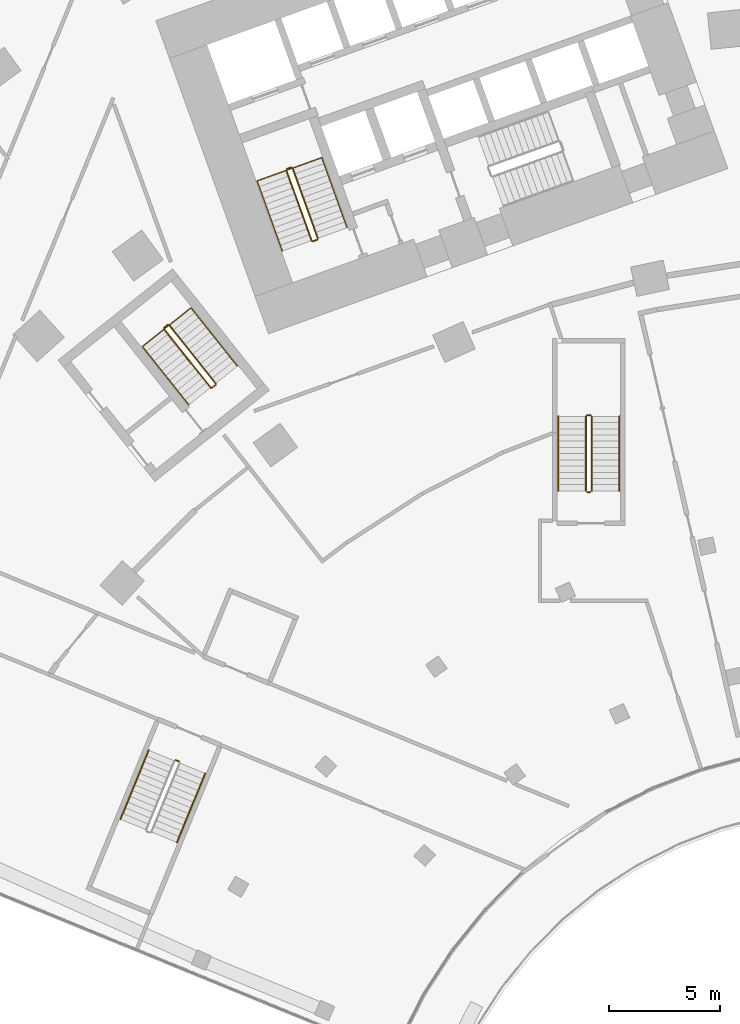
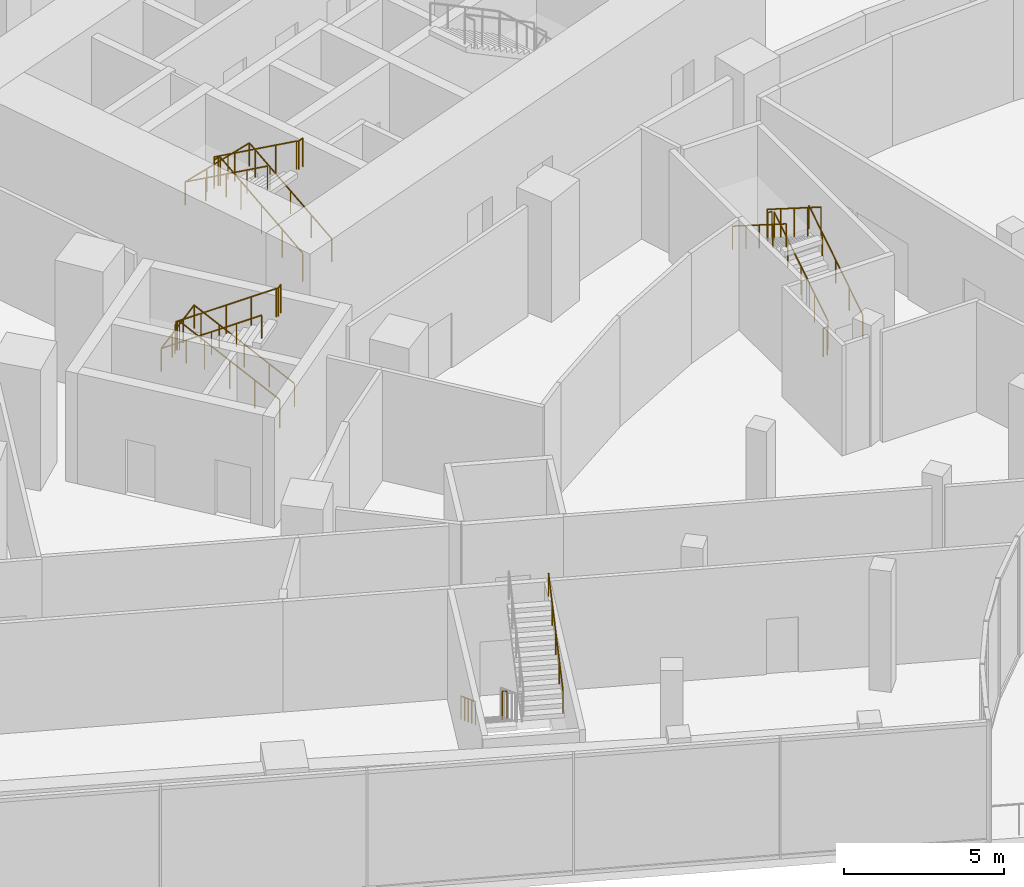
# One storey, part 34 of 40: 15 railings.
"""IFC4 building model written with IfcOpenShell, lengths in metres."""

from ifc_helpers import new_model, si_unit, direction, frame, origin, origin_2d, place, context, subcontext, project, spatial, circle, extrude, material, type_object, element, save


model = new_model("IFC4")

# Units and contexts
model_context = context("Model", 3, precision=1e-05, world=origin(), true_north=direction((0.0, 1.0)))
body_context = subcontext(model_context, "Body", "Model", "MODEL_VIEW")
ifc_project = project(units=[si_unit("LENGTHUNIT", "METRE"), si_unit("AREAUNIT", "SQUARE_METRE"), si_unit("VOLUMEUNIT", "CUBIC_METRE"), si_unit("PLANEANGLEUNIT", "RADIAN"), si_unit("MASSUNIT", "GRAM", prefix="KILO")], contexts=[model_context])

# Site, building, storey
site_placement = place(None, origin())
site = spatial("IfcSite", under=ifc_project, at=site_placement, CompositionType="ELEMENT")
building_placement = place(site_placement, origin())
building = spatial("IfcBuilding", under=site, at=building_placement, Name="Stone Belt Terrace Tower", CompositionType="ELEMENT")
storey_placement = place(building_placement, frame((0.0, 0.0, 11.60009765625)))
storey = spatial("IfcBuildingStorey", under=building, at=storey_placement, Name="L02", CompositionType="ELEMENT", Elevation=11.60009765625)

# Railings
ifc_material_1 = material(Name="Steel balustrade", Category="steel")
railing_type_1 = type_object("IfcRailingType", Name="Podium stair guard", PredefinedType="GUARDRAIL", material=ifc_material_1)
railing_1_placement = place(storey_placement, frame((-30.611572265625, 21.75439453125, 0.0)))
element("IfcRailing", 1, at=railing_1_placement, inside=storey, type_object=railing_type_1, Name="L02 PS1 stair guard 4", PredefinedType="GUARDRAIL", context=body_context, shape_type="SweptSolid", body=[
    extrude(circle(Radius=0.02392578125, at=origin_2d()), frame((0.0, 0.0, 1.076171875), z_axis=(0.925183283695, -0.379520607572, 0.0), x_axis=(0.379520607572, 0.925183283695, 0.0)), (0.0, 0.0, 1.0), 0.14990234375),
    extrude(circle(Radius=0.02099609375, at=origin_2d()), origin(), (0.0, 0.0, 1.0), 1.052001953125),
    extrude(circle(Radius=0.02099609375, at=origin_2d()), frame((0.138671875, -0.056884765625, 0.0)), (0.0, 0.0, 1.0), 1.052001953125),
])
railing_2_placement = place(storey_placement, frame((-11.875, 33.889892578125, 0.1767578125)))
element("IfcRailing", 2, at=railing_2_placement, inside=storey, type_object=railing_type_1, Name="L02 PS5 stair guard 1", PredefinedType="GUARDRAIL", context=body_context, shape_type="SweptSolid", body=[
    extrude(circle(Radius=0.02392578125, at=origin_2d()), frame((0.0, 0.0, 1.076171875), z_axis=(0.0, 0.845389635667, 0.534150132366), x_axis=(-1.0, 0.0, 0.0)), (0.0, 0.0, 1.0), 3.974609375),
    extrude(circle(Radius=0.02099609375, at=origin_2d()), origin(), (0.0, 0.0, 1.0), 1.052001953125),
    extrude(circle(Radius=0.02099609375, at=origin_2d()), frame((0.0, 0.840087890625, 0.53076171875)), (0.0, 0.0, 1.0), 1.052001953125),
    extrude(circle(Radius=0.02099609375, at=origin_2d()), frame((0.0, 1.68017578125, 1.0615234375)), (0.0, 0.0, 1.0), 1.052001953125),
    extrude(circle(Radius=0.02099609375, at=origin_2d()), frame((0.0, 2.52001953125, 1.59228515625)), (0.0, 0.0, 1.0), 1.052001953125),
    extrude(circle(Radius=0.02099609375, at=origin_2d()), frame((0.0, 3.360107421875, 2.123046875)), (0.0, 0.0, 1.0), 1.052001953125),
])
railing_3_placement = place(storey_placement, frame((-11.925048828125, 37.300048828125, 2.2998046875)))
element("IfcRailing", 3, at=railing_3_placement, inside=storey, type_object=railing_type_1, Name="L02 PS5 stair guard 2", PredefinedType="GUARDRAIL", context=body_context, shape_type="SweptSolid", body=[
    extrude(circle(Radius=0.02392578125, at=origin_2d()), frame((0.0, 0.0, 1.076171875), z_axis=(-1.0, 0.0, 0.0), x_axis=(0.0, -1.0, 0.0)), (0.0, 0.0, 1.0), 0.14990234375),
    extrude(circle(Radius=0.02099609375, at=origin_2d()), origin(), (0.0, 0.0, 1.0), 1.052001953125),
    extrude(circle(Radius=0.02099609375, at=origin_2d()), frame((-0.14990234375, 0.0, 0.0)), (0.0, 0.0, 1.0), 1.052001953125),
])
railing_4_placement = place(storey_placement, frame((-12.125, 37.25, 2.476806640625)))
element("IfcRailing", 4, at=railing_4_placement, inside=storey, type_object=railing_type_1, Name="L02 PS5 stair guard 3", PredefinedType="GUARDRAIL", context=body_context, shape_type="SweptSolid", body=[
    extrude(circle(Radius=0.02392578125, at=origin_2d()), frame((0.0, 0.0, 1.076171875), z_axis=(0.0, -0.845389635667, 0.534150132366), x_axis=(1.0, 0.0, 0.0)), (0.0, 0.0, 1.0), 3.974609375),
    extrude(circle(Radius=0.02099609375, at=origin_2d()), origin(), (0.0, 0.0, 1.0), 1.052001953125),
    extrude(circle(Radius=0.02099609375, at=origin_2d()), frame((0.0, -0.840087890625, 0.53076171875)), (0.0, 0.0, 1.0), 1.052001953125),
    extrude(circle(Radius=0.02099609375, at=origin_2d()), frame((0.0, -1.68017578125, 1.0615234375)), (0.0, 0.0, 1.0), 1.052001953125),
    extrude(circle(Radius=0.02099609375, at=origin_2d()), frame((0.0, -2.52001953125, 1.59228515625)), (0.0, 0.0, 1.0), 1.052001953125),
    extrude(circle(Radius=0.02099609375, at=origin_2d()), frame((0.0, -3.360107421875, 2.123046875)), (0.0, 0.0, 1.0), 1.052001953125),
])
railing_5_placement = place(storey_placement, frame((-11.925048828125, 33.840087890625, 0.0)))
element("IfcRailing", 5, at=railing_5_placement, inside=storey, type_object=railing_type_1, Name="L02 PS5 stair guard 4", PredefinedType="GUARDRAIL", context=body_context, shape_type="SweptSolid", body=[
    extrude(circle(Radius=0.02392578125, at=origin_2d()), frame((0.0, 0.0, 1.076171875), z_axis=(-1.0, 0.0, 0.0), x_axis=(0.0, -1.0, 0.0)), (0.0, 0.0, 1.0), 0.14990234375),
    extrude(circle(Radius=0.02099609375, at=origin_2d()), origin(), (0.0, 0.0, 1.0), 1.052001953125),
    extrude(circle(Radius=0.02099609375, at=origin_2d()), frame((-0.14990234375, 0.0, 0.0)), (0.0, 0.0, 1.0), 1.052001953125),
])
ifc_material_2 = material(Name="Stainless steel handrail", Category="steel")
railing_type_2 = type_object("IfcRailingType", Name="Podium stair handrail", PredefinedType="HANDRAIL", material=ifc_material_2)
railing_6_placement = place(storey_placement, frame((-31.83349609375, 22.201171875, 0.1767578125)))
element("IfcRailing", 6, at=railing_6_placement, inside=storey, type_object=railing_type_2, Name="L02 PS1 stair handrail 1", PredefinedType="HANDRAIL", context=body_context, shape_type="SweptSolid", body=[
    extrude(circle(Radius=0.02392578125, at=origin_2d()), frame((0.0, 0.0, 0.8759765625), z_axis=(-0.320577273413, -0.782247859152, 0.534152130599), x_axis=(0.92531182595, -0.379207100089, 0.0)), (0.0, 0.0, 1.0), 3.974609375),
    extrude(circle(Radius=0.02099609375, at=origin_2d()), origin(), (0.0, 0.0, 1.0), 0.851806640625),
    extrude(circle(Radius=0.02099609375, at=origin_2d()), frame((-0.318603515625, -0.77734375, 0.53076171875)), (0.0, 0.0, 1.0), 0.851806640625),
    extrude(circle(Radius=0.02099609375, at=origin_2d()), frame((-0.63720703125, -1.5546875, 1.0615234375)), (0.0, 0.0, 1.0), 0.851806640625),
    extrude(circle(Radius=0.02099609375, at=origin_2d()), frame((-0.95556640625, -2.331787109375, 1.59228515625)), (0.0, 0.0, 1.0), 0.851806640625),
    extrude(circle(Radius=0.02099609375, at=origin_2d()), frame((-1.274169921875, -3.109130859375, 2.123046875)), (0.0, 0.0, 1.0), 0.851806640625),
])
railing_7_placement = place(storey_placement, frame((-30.563232421875, 18.049072265625, 2.476806640625)))
element("IfcRailing", 7, at=railing_7_placement, inside=storey, type_object=railing_type_2, Name="L02 PS1 stair handrail 2", PredefinedType="HANDRAIL", context=body_context, shape_type="SweptSolid", body=[
    extrude(circle(Radius=0.02392578125, at=origin_2d()), frame((0.0, 0.0, 0.8759765625), z_axis=(0.320632384185, 0.78223245452, 0.534141611661), x_axis=(-0.925286329636, 0.379269308261, 0.0)), (0.0, 0.0, 1.0), 3.974609375),
    extrude(circle(Radius=0.02099609375, at=origin_2d()), origin(), (0.0, 0.0, 1.0), 0.851806640625),
    extrude(circle(Radius=0.02099609375, at=origin_2d()), frame((0.318603515625, 0.77734375, 0.53076171875)), (0.0, 0.0, 1.0), 0.851806640625),
    extrude(circle(Radius=0.02099609375, at=origin_2d()), frame((0.63720703125, 1.5546875, 1.0615234375)), (0.0, 0.0, 1.0), 0.851806640625),
    extrude(circle(Radius=0.02099609375, at=origin_2d()), frame((0.955810546875, 2.331787109375, 1.59228515625)), (0.0, 0.0, 1.0), 0.851806640625),
    extrude(circle(Radius=0.02099609375, at=origin_2d()), frame((1.2744140625, 3.109130859375, 2.123046875)), (0.0, 0.0, 1.0), 0.851806640625),
])
railing_8_placement = place(storey_placement, frame((-10.625, 33.889892578125, 0.1767578125)))
element("IfcRailing", 8, at=railing_8_placement, inside=storey, type_object=railing_type_2, Name="L02 PS5 stair handrail 1", PredefinedType="HANDRAIL", context=body_context, shape_type="SweptSolid", body=[
    extrude(circle(Radius=0.02392578125, at=origin_2d()), frame((0.0, 0.0, 0.8759765625), z_axis=(0.0, 0.845389635667, 0.534150132366), x_axis=(-1.0, 0.0, 0.0)), (0.0, 0.0, 1.0), 3.974609375),
    extrude(circle(Radius=0.02099609375, at=origin_2d()), origin(), (0.0, 0.0, 1.0), 0.851806640625),
    extrude(circle(Radius=0.02099609375, at=origin_2d()), frame((0.0, 0.840087890625, 0.53076171875)), (0.0, 0.0, 1.0), 0.851806640625),
    extrude(circle(Radius=0.02099609375, at=origin_2d()), frame((0.0, 1.68017578125, 1.0615234375)), (0.0, 0.0, 1.0), 0.851806640625),
    extrude(circle(Radius=0.02099609375, at=origin_2d()), frame((0.0, 2.52001953125, 1.59228515625)), (0.0, 0.0, 1.0), 0.851806640625),
    extrude(circle(Radius=0.02099609375, at=origin_2d()), frame((0.0, 3.360107421875, 2.123046875)), (0.0, 0.0, 1.0), 0.851806640625),
])
railing_9_placement = place(storey_placement, frame((-13.375, 37.25, 2.476806640625)))
element("IfcRailing", 9, at=railing_9_placement, inside=storey, type_object=railing_type_2, Name="L02 PS5 stair handrail 2", PredefinedType="HANDRAIL", context=body_context, shape_type="SweptSolid", body=[
    extrude(circle(Radius=0.02392578125, at=origin_2d()), frame((0.0, 0.0, 0.8759765625), z_axis=(0.0, -0.845389635667, 0.534150132366), x_axis=(1.0, 0.0, 0.0)), (0.0, 0.0, 1.0), 3.974609375),
    extrude(circle(Radius=0.02099609375, at=origin_2d()), origin(), (0.0, 0.0, 1.0), 0.851806640625),
    extrude(circle(Radius=0.02099609375, at=origin_2d()), frame((0.0, -0.840087890625, 0.53076171875)), (0.0, 0.0, 1.0), 0.851806640625),
    extrude(circle(Radius=0.02099609375, at=origin_2d()), frame((0.0, -1.68017578125, 1.0615234375)), (0.0, 0.0, 1.0), 0.851806640625),
    extrude(circle(Radius=0.02099609375, at=origin_2d()), frame((0.0, -2.52001953125, 1.59228515625)), (0.0, 0.0, 1.0), 0.851806640625),
    extrude(circle(Radius=0.02099609375, at=origin_2d()), frame((0.0, -3.360107421875, 2.123046875)), (0.0, 0.0, 1.0), 0.851806640625),
])
ifc_material_3 = material(Name="Structural steel C345", Category="steel")
railing_type_3 = type_object("IfcRailingType", Name="Stair guard 1100", PredefinedType="GUARDRAIL", material=ifc_material_3)
railing_10_placement = place(storey_placement, frame((-24.2119140625, 45.276123046875, 0.1767578125)))
element("IfcRailing", 10, at=railing_10_placement, inside=storey, type_object=railing_type_3, Name="L02 ST1A stair guard 1", PredefinedType="GUARDRAIL", context=body_context, shape_type="SweptSolid", body=[
    extrude(circle(Radius=0.02392578125, at=origin_2d()), frame((0.0, 0.0, 1.076171875), z_axis=(-0.286311103083, 0.795417823175, 0.534168923494), x_axis=(-0.940902231577, -0.338678299589, 0.0)), (0.0, 0.0, 1.0), 3.974365234375),
    extrude(circle(Radius=0.02392578125, at=origin_2d()), frame((-1.137939453125, 3.161376953125, 3.19921875), z_axis=(-0.903878284585, 0.427789722475, 0.0), x_axis=(-0.427789722475, -0.903878284585, 0.0)), (0.0, 0.0, 1.0), 0.07080078125),
    extrude(circle(Radius=0.02392578125, at=origin_2d()), frame((-1.201904296875, 3.191650390625, 3.19921875), z_axis=(-0.940575576748, -0.339584429008, 0.0), x_axis=(0.339584429008, -0.940575576748, 0.0)), (0.0, 0.0, 1.0), 0.199951171875),
    extrude(circle(Radius=0.02099609375, at=origin_2d()), origin(), (0.0, 0.0, 1.0), 1.052001953125),
    extrude(circle(Radius=0.02099609375, at=origin_2d()), frame((-0.284423828125, 0.790283203125, 0.53076171875)), (0.0, 0.0, 1.0), 1.052001953125),
    extrude(circle(Radius=0.02099609375, at=origin_2d()), frame((-0.56884765625, 1.58056640625, 1.0615234375)), (0.0, 0.0, 1.0), 1.052001953125),
    extrude(circle(Radius=0.02099609375, at=origin_2d()), frame((-0.853515625, 2.37109375, 1.59228515625)), (0.0, 0.0, 1.0), 1.052001953125),
    extrude(circle(Radius=0.02099609375, at=origin_2d()), frame((-1.137939453125, 3.161376953125, 2.123046875)), (0.0, 0.0, 1.0), 1.052001953125),
    extrude(circle(Radius=0.02099609375, at=origin_2d()), frame((-1.201904296875, 3.191650390625, 2.123046875)), (0.0, 0.0, 1.0), 1.052001953125),
    extrude(circle(Radius=0.02099609375, at=origin_2d()), frame((-1.389892578125, 3.123779296875, 2.123046875)), (0.0, 0.0, 1.0), 1.052001953125),
])
railing_11_placement = place(storey_placement, frame((-25.632080078125, 48.3359375, 2.476806640625)))
element("IfcRailing", 11, at=railing_11_placement, inside=storey, type_object=railing_type_3, Name="L02 ST1A stair guard 2", PredefinedType="GUARDRAIL", context=body_context, shape_type="SweptSolid", body=[
    extrude(circle(Radius=0.02392578125, at=origin_2d()), frame((0.0, 0.0, 1.076171875), z_axis=(0.286311103083, -0.795417823175, 0.534168923494), x_axis=(0.940902231577, 0.338678299589, 0.0)), (0.0, 0.0, 1.0), 3.974365234375),
    extrude(circle(Radius=0.02392578125, at=origin_2d()), frame((1.137939453125, -3.161376953125, 3.19921875), z_axis=(0.903878284585, -0.427789722475, 0.0), x_axis=(0.427789722475, 0.903878284585, 0.0)), (0.0, 0.0, 1.0), 0.07080078125),
    extrude(circle(Radius=0.02392578125, at=origin_2d()), frame((1.201904296875, -3.191650390625, 3.19921875), z_axis=(0.940575576748, 0.339584429008, 0.0), x_axis=(-0.339584429008, 0.940575576748, 0.0)), (0.0, 0.0, 1.0), 0.199951171875),
    extrude(circle(Radius=0.02099609375, at=origin_2d()), origin(), (0.0, 0.0, 1.0), 1.052001953125),
    extrude(circle(Radius=0.02099609375, at=origin_2d()), frame((0.284423828125, -0.790283203125, 0.53076171875)), (0.0, 0.0, 1.0), 1.052001953125),
    extrude(circle(Radius=0.02099609375, at=origin_2d()), frame((0.56884765625, -1.58056640625, 1.0615234375)), (0.0, 0.0, 1.0), 1.052001953125),
    extrude(circle(Radius=0.02099609375, at=origin_2d()), frame((0.853515625, -2.37109375, 1.59228515625)), (0.0, 0.0, 1.0), 1.052001953125),
    extrude(circle(Radius=0.02099609375, at=origin_2d()), frame((1.137939453125, -3.161376953125, 2.123046875)), (0.0, 0.0, 1.0), 1.052001953125),
    extrude(circle(Radius=0.02099609375, at=origin_2d()), frame((1.201904296875, -3.191650390625, 2.123046875)), (0.0, 0.0, 1.0), 1.052001953125),
    extrude(circle(Radius=0.02099609375, at=origin_2d()), frame((1.389892578125, -3.123779296875, 2.123046875)), (0.0, 0.0, 1.0), 1.052001953125),
])
railing_12_placement = place(storey_placement, frame((-28.814208984375, 38.734619140625, 0.1767578125)))
element("IfcRailing", 12, at=railing_12_placement, inside=storey, type_object=railing_type_3, Name="L02 ST3A stair guard 1", PredefinedType="GUARDRAIL", context=body_context, shape_type="SweptSolid", body=[
    extrude(circle(Radius=0.02392578125, at=origin_2d()), frame((0.0, 0.0, 1.076171875), z_axis=(-0.526787798416, 0.661187483926, 0.534158896341), x_axis=(-0.782114881682, -0.623134264707, 0.0)), (0.0, 0.0, 1.0), 3.974609375),
    extrude(circle(Radius=0.02392578125, at=origin_2d()), frame((-2.09375, 2.6279296875, 3.19921875), z_axis=(-0.993883734674, 0.110431526075, 0.0), x_axis=(-0.110431526075, -0.993883734674, 0.0)), (0.0, 0.0, 1.0), 0.07080078125),
    extrude(circle(Radius=0.02392578125, at=origin_2d()), frame((-2.1640625, 2.6357421875, 3.19921875), z_axis=(-0.782059551443, -0.623203705056, 0.0), x_axis=(0.623203705056, -0.782059551443, 0.0)), (0.0, 0.0, 1.0), 0.19970703125),
    extrude(circle(Radius=0.02099609375, at=origin_2d()), origin(), (0.0, 0.0, 1.0), 1.052001953125),
    extrude(circle(Radius=0.02099609375, at=origin_2d()), frame((-0.5234375, 0.656982421875, 0.53076171875)), (0.0, 0.0, 1.0), 1.052001953125),
    extrude(circle(Radius=0.02099609375, at=origin_2d()), frame((-1.046875, 1.31396484375, 1.0615234375)), (0.0, 0.0, 1.0), 1.052001953125),
    extrude(circle(Radius=0.02099609375, at=origin_2d()), frame((-1.5703125, 1.970947265625, 1.59228515625)), (0.0, 0.0, 1.0), 1.052001953125),
    extrude(circle(Radius=0.02099609375, at=origin_2d()), frame((-2.09375, 2.6279296875, 2.123046875)), (0.0, 0.0, 1.0), 1.052001953125),
    extrude(circle(Radius=0.02099609375, at=origin_2d()), frame((-2.1640625, 2.6357421875, 2.123046875)), (0.0, 0.0, 1.0), 1.052001953125),
    extrude(circle(Radius=0.02099609375, at=origin_2d()), frame((-2.3203125, 2.51123046875, 2.123046875)), (0.0, 0.0, 1.0), 1.052001953125),
])
railing_13_placement = place(storey_placement, frame((-31.142578125, 41.175537109375, 2.476806640625)))
element("IfcRailing", 13, at=railing_13_placement, inside=storey, type_object=railing_type_3, Name="L02 ST3A stair guard 2", PredefinedType="GUARDRAIL", context=body_context, shape_type="SweptSolid", body=[
    extrude(circle(Radius=0.02392578125, at=origin_2d()), frame((0.0, 0.0, 1.076171875), z_axis=(0.526787798416, -0.661187483926, 0.534158896341), x_axis=(0.782114881682, 0.623134264707, 0.0)), (0.0, 0.0, 1.0), 3.974609375),
    extrude(circle(Radius=0.02392578125, at=origin_2d()), frame((2.09375, -2.6279296875, 3.19921875), z_axis=(0.993499272973, -0.113838458361, 0.0), x_axis=(0.113838458361, 0.993499272973, 0.0)), (0.0, 0.0, 1.0), 0.07080078125),
    extrude(circle(Radius=0.02392578125, at=origin_2d()), frame((2.1640625, -2.635986328125, 3.19921875), z_axis=(0.781464082609, 0.623950228458, 0.0), x_axis=(-0.623950228458, 0.781464082609, 0.0)), (0.0, 0.0, 1.0), 0.199951171875),
    extrude(circle(Radius=0.02099609375, at=origin_2d()), origin(), (0.0, 0.0, 1.0), 1.052001953125),
    extrude(circle(Radius=0.02099609375, at=origin_2d()), frame((0.5234375, -0.656982421875, 0.53076171875)), (0.0, 0.0, 1.0), 1.052001953125),
    extrude(circle(Radius=0.02099609375, at=origin_2d()), frame((1.046875, -1.31396484375, 1.0615234375)), (0.0, 0.0, 1.0), 1.052001953125),
    extrude(circle(Radius=0.02099609375, at=origin_2d()), frame((1.5703125, -1.970947265625, 1.59228515625)), (0.0, 0.0, 1.0), 1.052001953125),
    extrude(circle(Radius=0.02099609375, at=origin_2d()), frame((2.09375, -2.6279296875, 2.123046875)), (0.0, 0.0, 1.0), 1.052001953125),
    extrude(circle(Radius=0.02099609375, at=origin_2d()), frame((2.1640625, -2.635986328125, 2.123046875)), (0.0, 0.0, 1.0), 1.052001953125),
    extrude(circle(Radius=0.02099609375, at=origin_2d()), frame((2.3203125, -2.51123046875, 2.123046875)), (0.0, 0.0, 1.0), 1.052001953125),
])
railing_type_4 = type_object("IfcRailingType", Name="Stair handrail 900", PredefinedType="HANDRAIL", material=ifc_material_3)
railing_14_placement = place(storey_placement, frame((-22.894775390625, 45.750244140625, 0.1767578125)))
element("IfcRailing", 14, at=railing_14_placement, inside=storey, type_object=railing_type_4, Name="L02 ST1A stair handrail 1", PredefinedType="HANDRAIL", context=body_context, shape_type="SweptSolid", body=[
    extrude(circle(Radius=0.02392578125, at=origin_2d()), frame((0.0, 0.0, 0.8759765625), z_axis=(-0.286254710043, 0.795431811234, 0.534178317283), x_axis=(-0.9409253847, -0.338613969627, 0.0)), (0.0, 0.0, 1.0), 3.974365234375),
    extrude(circle(Radius=0.02392578125, at=origin_2d()), frame((-1.1376953125, 3.161376953125, 2.9990234375), z_axis=(-0.939380425775, -0.338104614617, 0.057006010604), x_axis=(0.338655323994, -0.940910501339, 0.0)), (0.0, 0.0, 1.0), 3.10498046875),
    extrude(circle(Radius=0.02392578125, at=origin_2d()), frame((-4.054443359375, 2.111572265625, 3.17578125), z_axis=(0.286254710043, -0.795431811234, 0.534178317283), x_axis=(0.9409253847, 0.338613969627, 0.0)), (0.0, 0.0, 1.0), 3.974365234375),
    extrude(circle(Radius=0.02099609375, at=origin_2d()), origin(), (0.0, 0.0, 1.0), 0.851806640625),
    extrude(circle(Radius=0.02099609375, at=origin_2d()), frame((-0.284423828125, 0.790283203125, 0.53076171875)), (0.0, 0.0, 1.0), 0.851806640625),
    extrude(circle(Radius=0.02099609375, at=origin_2d()), frame((-0.56884765625, 1.58056640625, 1.0615234375)), (0.0, 0.0, 1.0), 0.851806640625),
    extrude(circle(Radius=0.02099609375, at=origin_2d()), frame((-0.853271484375, 2.37109375, 1.59228515625)), (0.0, 0.0, 1.0), 0.851806640625),
    extrude(circle(Radius=0.02099609375, at=origin_2d()), frame((-1.1376953125, 3.161376953125, 2.123046875)), (0.0, 0.0, 1.0), 0.851806640625),
    extrude(circle(Radius=0.02099609375, at=origin_2d()), frame((-2.10986328125, 2.8115234375, 2.18212890625)), (0.0, 0.0, 1.0), 0.851806640625),
    extrude(circle(Radius=0.02099609375, at=origin_2d()), frame((-3.082275390625, 2.46142578125, 2.240966796875)), (0.0, 0.0, 1.0), 0.851806640625),
    extrude(circle(Radius=0.02099609375, at=origin_2d()), frame((-4.054443359375, 2.111572265625, 2.300048828125)), (0.0, 0.0, 1.0), 0.851806640625),
    extrude(circle(Radius=0.02099609375, at=origin_2d()), frame((-3.77001953125, 1.3212890625, 2.830810546875)), (0.0, 0.0, 1.0), 0.851806640625),
    extrude(circle(Radius=0.02099609375, at=origin_2d()), frame((-3.485595703125, 0.53076171875, 3.361572265625)), (0.0, 0.0, 1.0), 0.851806640625),
    extrude(circle(Radius=0.02099609375, at=origin_2d()), frame((-3.201171875, -0.259521484375, 3.892333984375)), (0.0, 0.0, 1.0), 0.851806640625),
    extrude(circle(Radius=0.02099609375, at=origin_2d()), frame((-2.916748046875, -1.0498046875, 4.423095703125)), (0.0, 0.0, 1.0), 0.851806640625),
])
railing_15_placement = place(storey_placement, frame((-27.836669921875, 39.513427734375, 0.1767578125)))
element("IfcRailing", 15, at=railing_15_placement, inside=storey, type_object=railing_type_4, Name="L02 ST3A stair handrail 1", PredefinedType="HANDRAIL", context=body_context, shape_type="SweptSolid", body=[
    extrude(circle(Radius=0.02392578125, at=origin_2d()), frame((0.0, 0.0, 0.8759765625), z_axis=(-0.52674341644, 0.661208878666, 0.534176180684), x_axis=(-0.782150293907, -0.623089815148, 0.0)), (0.0, 0.0, 1.0), 3.974365234375),
    extrude(circle(Radius=0.02392578125, at=origin_2d()), frame((-2.093505859375, 2.6279296875, 2.9990234375), z_axis=(-0.780585020538, -0.621857364188, 0.06309076253), x_axis=(0.623098705543, -0.782143211408, 0.0)), (0.0, 0.0, 1.0), 2.805419921875),
    extrude(circle(Radius=0.02392578125, at=origin_2d()), frame((-4.283447265625, 0.88330078125, 3.17578125), z_axis=(0.52674341644, -0.661208878666, 0.534176180684), x_axis=(0.782150293907, 0.623089815148, 0.0)), (0.0, 0.0, 1.0), 3.974365234375),
    extrude(circle(Radius=0.02099609375, at=origin_2d()), origin(), (0.0, 0.0, 1.0), 0.851806640625),
    extrude(circle(Radius=0.02099609375, at=origin_2d()), frame((-0.5234375, 0.656982421875, 0.53076171875)), (0.0, 0.0, 1.0), 0.851806640625),
    extrude(circle(Radius=0.02099609375, at=origin_2d()), frame((-1.046875, 1.31396484375, 1.0615234375)), (0.0, 0.0, 1.0), 0.851806640625),
    extrude(circle(Radius=0.02099609375, at=origin_2d()), frame((-1.570068359375, 1.970947265625, 1.59228515625)), (0.0, 0.0, 1.0), 0.851806640625),
    extrude(circle(Radius=0.02099609375, at=origin_2d()), frame((-2.093505859375, 2.6279296875, 2.123046875)), (0.0, 0.0, 1.0), 0.851806640625),
    extrude(circle(Radius=0.02099609375, at=origin_2d()), frame((-2.823486328125, 2.04638671875, 2.18212890625)), (0.0, 0.0, 1.0), 0.851806640625),
    extrude(circle(Radius=0.02099609375, at=origin_2d()), frame((-3.553466796875, 1.46484375, 2.240966796875)), (0.0, 0.0, 1.0), 0.851806640625),
    extrude(circle(Radius=0.02099609375, at=origin_2d()), frame((-4.283447265625, 0.88330078125, 2.300048828125)), (0.0, 0.0, 1.0), 0.851806640625),
    extrude(circle(Radius=0.02099609375, at=origin_2d()), frame((-3.760009765625, 0.226318359375, 2.830810546875)), (0.0, 0.0, 1.0), 0.851806640625),
    extrude(circle(Radius=0.02099609375, at=origin_2d()), frame((-3.23681640625, -0.4306640625, 3.361572265625)), (0.0, 0.0, 1.0), 0.851806640625),
    extrude(circle(Radius=0.02099609375, at=origin_2d()), frame((-2.71337890625, -1.087646484375, 3.892333984375)), (0.0, 0.0, 1.0), 0.851806640625),
    extrude(circle(Radius=0.02099609375, at=origin_2d()), frame((-2.18994140625, -1.74462890625, 4.423095703125)), (0.0, 0.0, 1.0), 0.851806640625),
])

save(model, "model.ifc")
